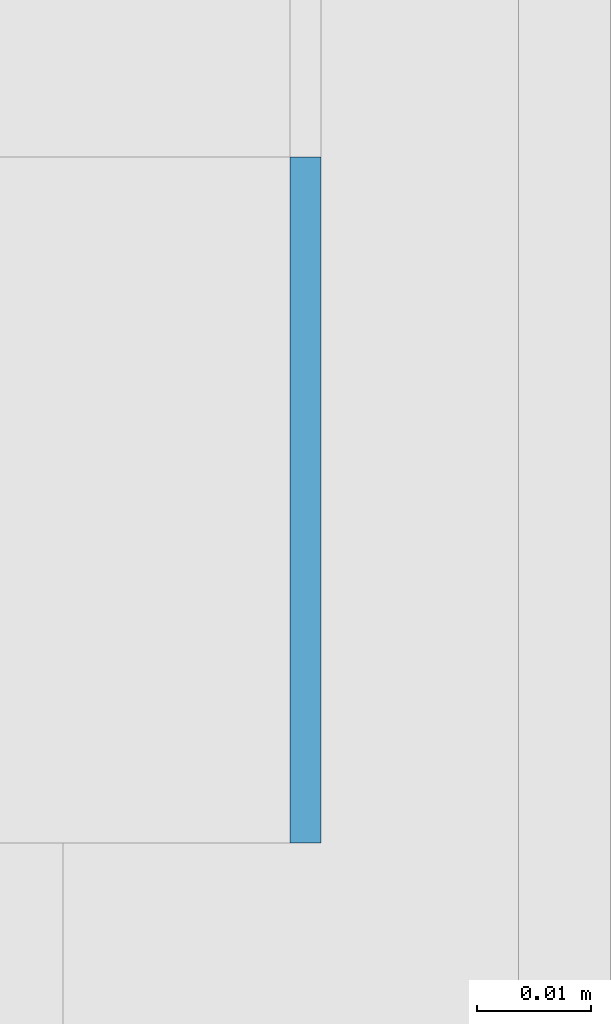
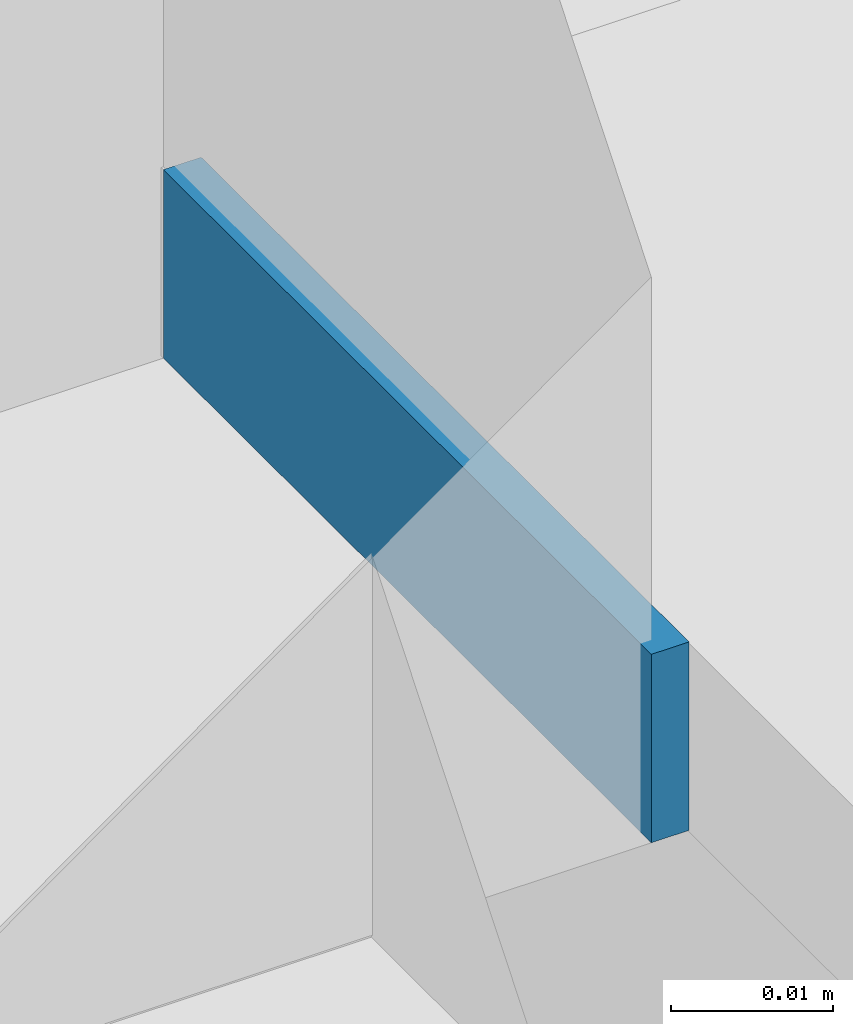
# One storey, part 364 of 646: 1 discrete accessory.
"""IFC4 building model written with IfcOpenShell, lengths in metres."""

from ifc_helpers import new_model, si_unit, direction, frame, origin, origin_2d, place, context, subcontext, project, spatial, rectangle, extrude, material, type_object, element, save


model = new_model("IFC4")

# Units and contexts
model_context = context("Model", 3, precision=1e-05, world=origin(), true_north=direction((0.0, 1.0)))
body_context = subcontext(model_context, "Body", "Model", "MODEL_VIEW")
ifc_project = project(units=[si_unit("LENGTHUNIT", "METRE"), si_unit("AREAUNIT", "SQUARE_METRE"), si_unit("VOLUMEUNIT", "CUBIC_METRE"), si_unit("PLANEANGLEUNIT", "RADIAN"), si_unit("MASSUNIT", "GRAM", prefix="KILO")], contexts=[model_context])

# Site, building, storey
site_placement = place(None, origin())
site = spatial("IfcSite", under=ifc_project, at=site_placement, CompositionType="ELEMENT")
building_placement = place(site_placement, origin())
building = spatial("IfcBuilding", under=site, at=building_placement, Name="Silverbay Arena", CompositionType="ELEMENT")
storey_placement = place(building_placement, frame((0.0, 0.0, 33.5)))
storey = spatial("IfcBuildingStorey", under=building, at=storey_placement, Name="L05", CompositionType="ELEMENT", Elevation=33.5)

# Discrete accessory
ifc_material = material(Name="Steel S355", Category="steel")
discrete_accessory_type = type_object("IfcDiscreteAccessoryType", Name="Steel bracket plate", PredefinedType="BRACKET", material=ifc_material)
discrete_accessory_placement = place(storey_placement, frame((53.871337890625, 98.969970703125, 4.0), z_axis=(0.0, 0.0, 1.0), x_axis=(1.0, 0.0, 0.0)))
element("IfcDiscreteAccessory", 1, at=discrete_accessory_placement, inside=storey, type_object=discrete_accessory_type, Name="Curtain wall packing plate", PredefinedType="BRACKET", context=body_context, shape_type="SweptSolid", body=[
    extrude(rectangle(XDim=0.002685546875, YDim=0.06005859375, at=origin_2d()), origin(), (0.0, 0.0, 1.0), 0.01416015625),
])

save(model, "model.ifc")
